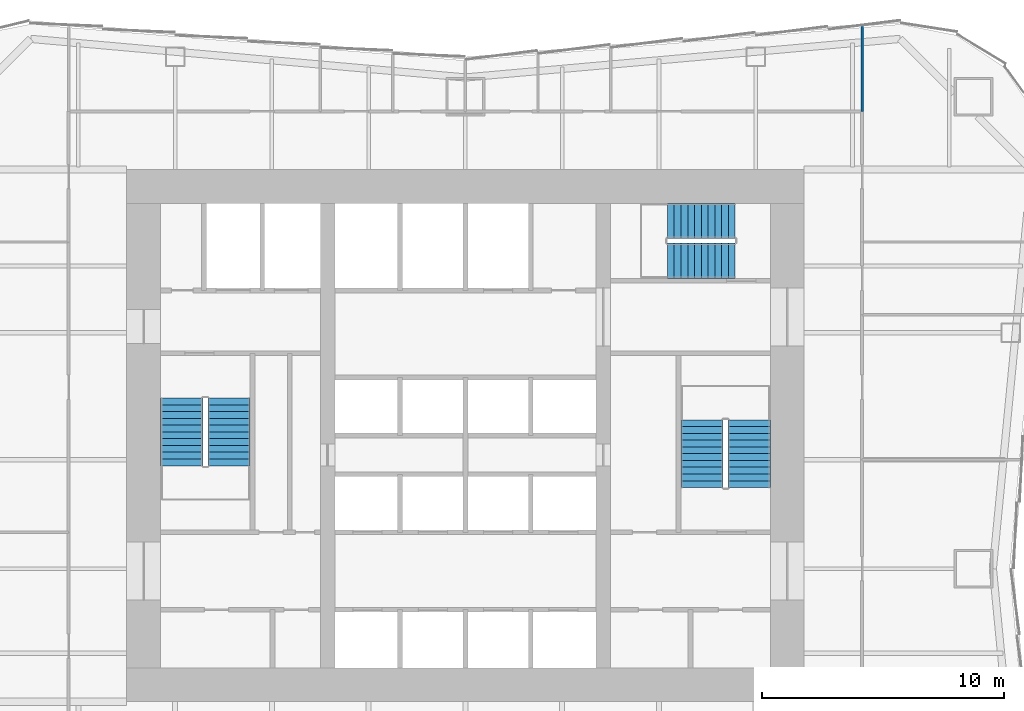
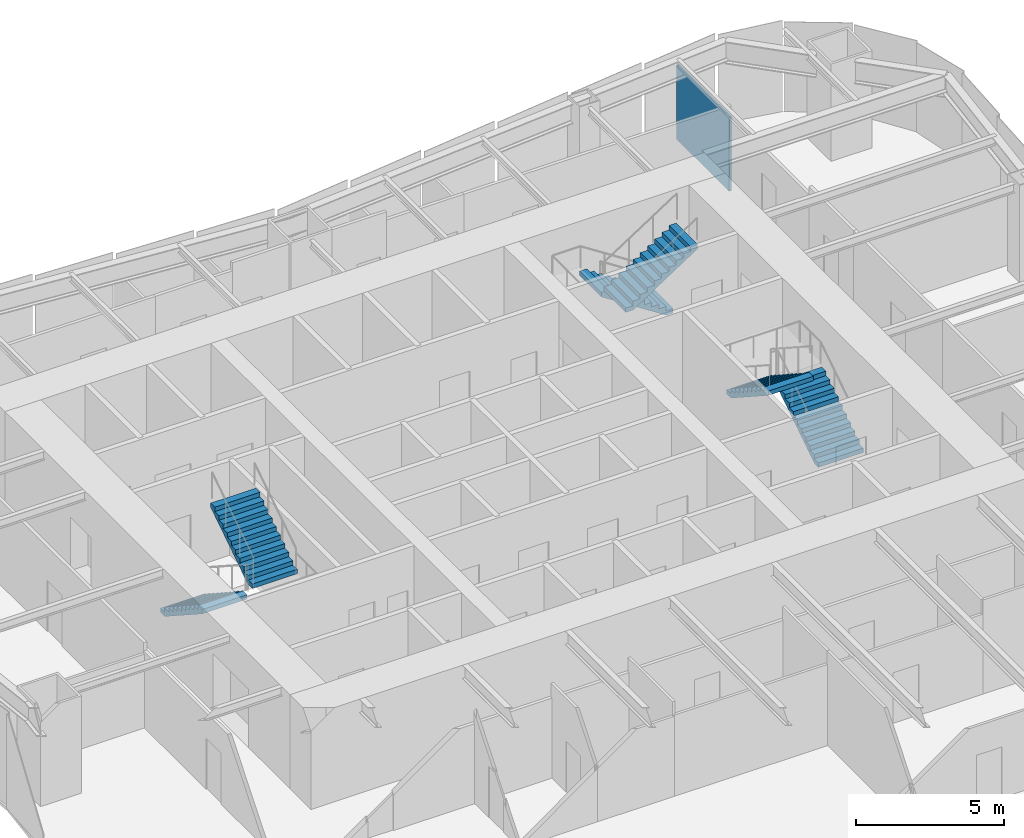
# One storey, part 7 of 9: 6 stair flights, 1 wall, 3 elements without a shape of their own.
"""IFC4 building model written with IfcOpenShell, lengths in metres."""

from ifc_helpers import new_model, si_unit, direction, frame, frame_2d, origin, place, context, subcontext, project, spatial, polyline, rectangle, outline, extrude, material, layer, layer_set, type_object, element, aggregate, save


model = new_model("IFC4")

# Units and contexts
model_context = context("Model", 3, precision=1e-05, world=origin(), true_north=direction((0.0, 1.0)))
body_context = subcontext(model_context, "Body", "Model", "MODEL_VIEW")
ifc_project = project(units=[si_unit("LENGTHUNIT", "METRE"), si_unit("AREAUNIT", "SQUARE_METRE"), si_unit("VOLUMEUNIT", "CUBIC_METRE"), si_unit("PLANEANGLEUNIT", "RADIAN"), si_unit("MASSUNIT", "GRAM", prefix="KILO")], contexts=[model_context])

# Site, building, storey
site_placement = place(None, origin())
site = spatial("IfcSite", under=ifc_project, at=site_placement, CompositionType="ELEMENT")
building_placement = place(site_placement, origin())
building = spatial("IfcBuilding", under=site, at=building_placement, Name="Verdant Reach Tower", CompositionType="ELEMENT")
storey_placement = place(building_placement, frame((0.0, 0.0, 34.0)))
storey = spatial("IfcBuildingStorey", under=building, at=storey_placement, Name="L07", CompositionType="ELEMENT", Elevation=34.0)

# Wall
ifc_material_1 = material(Name="Gypsum board on steel studs", Category="steel")
ifc_layer = layer(ifc_material_1, 0.10009765625)
ifc_layer_set = layer_set([ifc_layer], Name="FL-W1 Partition 100")
wall_type = type_object("IfcWallType", Name="FL-W1 Partition 100", PredefinedType="PARTITIONING", material=ifc_layer_set)
wall_placement = place(storey_placement, frame((16.39990234375, 41.39599609375, 0.0), z_axis=(0.0, 0.0, 1.0), x_axis=(0.0, 1.0, 0.0)))
element("IfcWall", 1, at=wall_placement, inside=storey, type_object=wall_type, Name="Partition 07.55", PredefinedType="PARTITIONING", context=body_context, shape_type="SweptSolid", body=[
    extrude(rectangle(XDim=3.55078125, YDim=0.10009765625, at=frame_2d((1.775390625, 0.0))), origin(), (0.0, 0.0, 1.0), 3.0400390625),
])

# Stair, stair flights
ifc_material_2 = material(Name="Concrete C40/50", Category="concrete")
stair_type = type_object("IfcStairType", Name="CO-STAIR", PredefinedType="HALF_TURN_STAIR", material=ifc_material_2)
stair_1_placement = place(storey_placement, origin())
stair_1 = element("IfcStair", 2, at=stair_1_placement, inside=storey, type_object=stair_type, Name="L07 Exit stair 1", PredefinedType="HALF_TURN_STAIR")
stair_flight_type = type_object("IfcStairFlightType", Name="CO-STAIR-FLIGHT", PredefinedType="STRAIGHT", material=ifc_material_2)
stair_flight_1_placement = place(storey_placement, frame((-11.72509765625, 29.550048828125, 0.0), z_axis=(0.0, 0.0, 1.0), x_axis=(0.0, -1.0, 0.0)))
stair_flight_1 = element("IfcStairFlight", 3, at=stair_flight_1_placement, type_object=stair_flight_type, Name="ST-1 flight 1", NumberOfRisers=11, NumberOfTreads=10, PredefinedType="STRAIGHT", RiserHeight=0.181818182, TreadLength=0.28, context=body_context, shape_type="SweptSolid", body=[
    extrude(outline(polyline([(0.0, 0.0), (0.0, 0.181884765625), (0.280029296875, 0.181884765625), (0.280029296875, 0.363525390625), (0.56005859375, 0.363525390625), (0.56005859375, 0.54541015625), (0.840087890625, 0.54541015625), (0.840087890625, 0.727294921875), (1.1201171875, 0.727294921875), (1.1201171875, 0.9091796875), (1.39990234375, 0.9091796875), (1.39990234375, 1.0908203125), (1.679931640625, 1.0908203125), (1.679931640625, 1.272705078125), (1.9599609375, 1.272705078125), (1.9599609375, 1.45458984375), (2.239990234375, 1.45458984375), (2.239990234375, 1.636474609375), (2.52001953125, 1.636474609375), (2.52001953125, 1.818115234375), (2.800048828125, 1.818115234375), (2.800048828125, 2.0), (2.800048828125, 1.639404296875), (0.275146484375, 0.0), (0.0, 0.0)])), frame((0.0, 0.875, 0.0), z_axis=(0.0, -1.0, 0.0), x_axis=(1.0, 0.0, 0.0)), (0.0, 0.0, 1.0), 1.75),
])
stair_flight_2_placement = place(storey_placement, frame((-9.77490234375, 26.75, 2.0), z_axis=(0.0, 0.0, 1.0), x_axis=(0.0, 1.0, 0.0)))
stair_flight_2 = element("IfcStairFlight", 4, at=stair_flight_2_placement, type_object=stair_flight_type, Name="ST-1 flight 2", NumberOfRisers=11, NumberOfTreads=10, PredefinedType="STRAIGHT", RiserHeight=0.181818182, TreadLength=0.28, context=body_context, shape_type="SweptSolid", body=[
    extrude(outline(polyline([(0.0, 0.0), (0.0, 0.181884765625), (0.280029296875, 0.181884765625), (0.280029296875, 0.363525390625), (0.56005859375, 0.363525390625), (0.56005859375, 0.54541015625), (0.840087890625, 0.54541015625), (0.840087890625, 0.727294921875), (1.1201171875, 0.727294921875), (1.1201171875, 0.9091796875), (1.39990234375, 0.9091796875), (1.39990234375, 1.0908203125), (1.679931640625, 1.0908203125), (1.679931640625, 1.272705078125), (1.9599609375, 1.272705078125), (1.9599609375, 1.45458984375), (2.239990234375, 1.45458984375), (2.239990234375, 1.636474609375), (2.52001953125, 1.636474609375), (2.52001953125, 1.818115234375), (2.800048828125, 1.818115234375), (2.800048828125, 2.0), (2.800048828125, 1.639404296875), (0.275146484375, 0.0), (0.0, 0.0)])), frame((0.0, 0.875, 0.0), z_axis=(0.0, -1.0, 0.0), x_axis=(1.0, 0.0, 0.0)), (0.0, 0.0, 1.0), 1.75),
])
aggregate(stair_1, [stair_flight_1, stair_flight_2])

stair_2_placement = place(storey_placement, origin())
stair_2 = element("IfcStair", 5, at=stair_2_placement, inside=storey, type_object=stair_type, Name="L07 Exit stair 2", PredefinedType="HALF_TURN_STAIR")
stair_flight_3_placement = place(storey_placement, frame((11.72509765625, 25.85009765625, 0.0), z_axis=(0.0, 0.0, 1.0), x_axis=(0.0, 1.0, 0.0)))
stair_flight_3 = element("IfcStairFlight", 6, at=stair_flight_3_placement, type_object=stair_flight_type, Name="ST-2 flight 1", NumberOfRisers=11, NumberOfTreads=10, PredefinedType="STRAIGHT", RiserHeight=0.181818182, TreadLength=0.28, context=body_context, shape_type="SweptSolid", body=[
    extrude(outline(polyline([(0.0, 0.0), (0.0, 0.181884765625), (0.280029296875, 0.181884765625), (0.280029296875, 0.363525390625), (0.56005859375, 0.363525390625), (0.56005859375, 0.54541015625), (0.840087890625, 0.54541015625), (0.840087890625, 0.727294921875), (1.1201171875, 0.727294921875), (1.1201171875, 0.9091796875), (1.39990234375, 0.9091796875), (1.39990234375, 1.0908203125), (1.679931640625, 1.0908203125), (1.679931640625, 1.272705078125), (1.9599609375, 1.272705078125), (1.9599609375, 1.45458984375), (2.239990234375, 1.45458984375), (2.239990234375, 1.636474609375), (2.52001953125, 1.636474609375), (2.52001953125, 1.818115234375), (2.800048828125, 1.818115234375), (2.800048828125, 2.0), (2.800048828125, 1.639404296875), (0.275146484375, 0.0), (0.0, 0.0)])), frame((0.0, 0.875, 0.0), z_axis=(0.0, -1.0, 0.0), x_axis=(1.0, 0.0, 0.0)), (0.0, 0.0, 1.0), 1.75),
])
stair_flight_4_placement = place(storey_placement, frame((9.77490234375, 28.64990234375, 2.0), z_axis=(0.0, 0.0, 1.0), x_axis=(0.0, -1.0, 0.0)))
stair_flight_4 = element("IfcStairFlight", 7, at=stair_flight_4_placement, type_object=stair_flight_type, Name="ST-2 flight 2", NumberOfRisers=11, NumberOfTreads=10, PredefinedType="STRAIGHT", RiserHeight=0.181818182, TreadLength=0.28, context=body_context, shape_type="SweptSolid", body=[
    extrude(outline(polyline([(0.0, 0.0), (0.0, 0.181884765625), (0.280029296875, 0.181884765625), (0.280029296875, 0.363525390625), (0.56005859375, 0.363525390625), (0.56005859375, 0.54541015625), (0.840087890625, 0.54541015625), (0.840087890625, 0.727294921875), (1.1201171875, 0.727294921875), (1.1201171875, 0.9091796875), (1.39990234375, 0.9091796875), (1.39990234375, 1.0908203125), (1.679931640625, 1.0908203125), (1.679931640625, 1.272705078125), (1.9599609375, 1.272705078125), (1.9599609375, 1.45458984375), (2.239990234375, 1.45458984375), (2.239990234375, 1.636474609375), (2.52001953125, 1.636474609375), (2.52001953125, 1.818115234375), (2.800048828125, 1.818115234375), (2.800048828125, 2.0), (2.800048828125, 1.639404296875), (0.275146484375, 0.0), (0.0, 0.0)])), frame((0.0, 0.875, 0.0), z_axis=(0.0, -1.0, 0.0), x_axis=(1.0, 0.0, 0.0)), (0.0, 0.0, 1.0), 1.75),
])
aggregate(stair_2, [stair_flight_3, stair_flight_4])

stair_3_placement = place(storey_placement, origin())
stair_3 = element("IfcStair", 8, at=stair_3_placement, inside=storey, type_object=stair_type, Name="L07 Exit stair 3", PredefinedType="HALF_TURN_STAIR")
stair_flight_5_placement = place(storey_placement, frame((11.14990234375, 36.875, 0.0), z_axis=(0.0, 0.0, 1.0), x_axis=(-1.0, 0.0, 0.0)))
stair_flight_5 = element("IfcStairFlight", 9, at=stair_flight_5_placement, type_object=stair_flight_type, Name="ST-3 flight 1", NumberOfRisers=11, NumberOfTreads=10, PredefinedType="STRAIGHT", RiserHeight=0.181818182, TreadLength=0.28, context=body_context, shape_type="SweptSolid", body=[
    extrude(outline(polyline([(0.0, 0.0), (0.0, 0.181884765625), (0.280029296875, 0.181884765625), (0.280029296875, 0.363525390625), (0.56005859375, 0.363525390625), (0.56005859375, 0.54541015625), (0.840087890625, 0.54541015625), (0.840087890625, 0.727294921875), (1.1201171875, 0.727294921875), (1.1201171875, 0.9091796875), (1.39990234375, 0.9091796875), (1.39990234375, 1.0908203125), (1.679931640625, 1.0908203125), (1.679931640625, 1.272705078125), (1.9599609375, 1.272705078125), (1.9599609375, 1.45458984375), (2.239990234375, 1.45458984375), (2.239990234375, 1.636474609375), (2.52001953125, 1.636474609375), (2.52001953125, 1.818115234375), (2.800048828125, 1.818115234375), (2.800048828125, 2.0), (2.800048828125, 1.639404296875), (0.275146484375, 0.0), (0.0, 0.0)])), frame((0.0, 0.72509765625, 0.0), z_axis=(0.0, -1.0, 0.0), x_axis=(1.0, 0.0, 0.0)), (0.0, 0.0, 1.0), 1.449951171875),
])
stair_flight_6_placement = place(storey_placement, frame((8.35009765625, 35.22509765625, 2.0), z_axis=(0.0, 0.0, 1.0), x_axis=(1.0, 0.0, 0.0)))
stair_flight_6 = element("IfcStairFlight", 10, at=stair_flight_6_placement, type_object=stair_flight_type, Name="ST-3 flight 2", NumberOfRisers=11, NumberOfTreads=10, PredefinedType="STRAIGHT", RiserHeight=0.181818182, TreadLength=0.28, context=body_context, shape_type="SweptSolid", body=[
    extrude(outline(polyline([(0.0, 0.0), (0.0, 0.181884765625), (0.280029296875, 0.181884765625), (0.280029296875, 0.363525390625), (0.56005859375, 0.363525390625), (0.56005859375, 0.54541015625), (0.840087890625, 0.54541015625), (0.840087890625, 0.727294921875), (1.1201171875, 0.727294921875), (1.1201171875, 0.9091796875), (1.39990234375, 0.9091796875), (1.39990234375, 1.0908203125), (1.679931640625, 1.0908203125), (1.679931640625, 1.272705078125), (1.9599609375, 1.272705078125), (1.9599609375, 1.45458984375), (2.239990234375, 1.45458984375), (2.239990234375, 1.636474609375), (2.52001953125, 1.636474609375), (2.52001953125, 1.818115234375), (2.800048828125, 1.818115234375), (2.800048828125, 2.0), (2.800048828125, 1.639404296875), (0.275146484375, 0.0), (0.0, 0.0)])), frame((0.0, 0.72509765625, 0.0), z_axis=(0.0, -1.0, 0.0), x_axis=(1.0, 0.0, 0.0)), (0.0, 0.0, 1.0), 1.449951171875),
])
aggregate(stair_3, [stair_flight_5, stair_flight_6])

save(model, "model.ifc")
